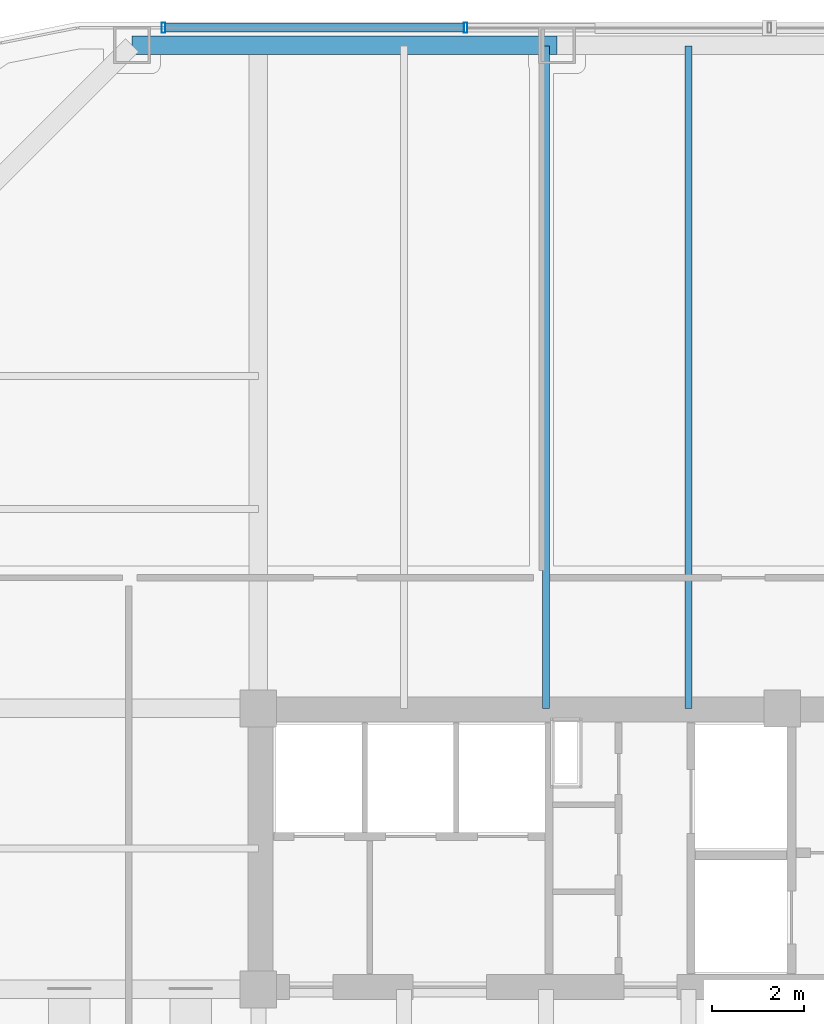
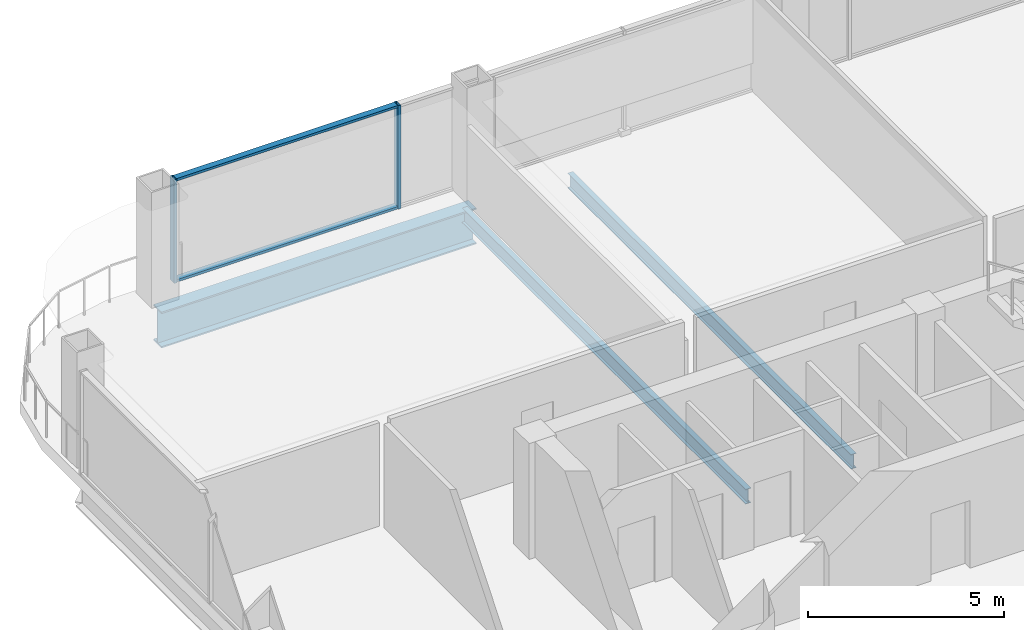
# One storey, part 11 of 20: 4 members, 3 beams, 1 element without a shape of its own.
"""IFC4 building model written with IfcOpenShell, lengths in metres."""

from ifc_helpers import new_model, si_unit, direction, frame, origin, origin_2d, place, context, subcontext, project, spatial, hollow_rectangle, i_section, extrude, material, layer, layer_set, material_profile, profile_set, type_object, element, aggregate, save


model = new_model("IFC4")

# Units and contexts
model_context = context("Model", 3, precision=1e-05, world=origin(), true_north=direction((0.0, 1.0)))
body_context = subcontext(model_context, "Body", "Model", "MODEL_VIEW")
ifc_project = project(units=[si_unit("LENGTHUNIT", "METRE"), si_unit("AREAUNIT", "SQUARE_METRE"), si_unit("VOLUMEUNIT", "CUBIC_METRE"), si_unit("PLANEANGLEUNIT", "RADIAN"), si_unit("MASSUNIT", "GRAM", prefix="KILO")], contexts=[model_context])

# Site, building, storey
site_placement = place(None, origin())
site = spatial("IfcSite", under=ifc_project, at=site_placement, CompositionType="ELEMENT")
building_placement = place(site_placement, origin())
building = spatial("IfcBuilding", under=site, at=building_placement, Name="Qhalaya Broadcast Tower", CompositionType="ELEMENT")
storey_placement = place(building_placement, frame((0.0, 0.0, 104.85009765625)))
storey = spatial("IfcBuildingStorey", under=building, at=storey_placement, Name="L30", CompositionType="ELEMENT", Elevation=104.85009765625)

# Beams
ifc_material_1 = material(Name="Structural Steel ASTM A992 Grade 50", Category="steel")
ifc_material_profile_1 = material_profile(ifc_material_1, i_section(OverallWidth=0.154052734375, OverallDepth=0.458984375, WebThickness=0.009033203125, FlangeThickness=0.015380859375, at=origin_2d()), Name="W18X46")
ifc_profile_set_1 = profile_set([ifc_material_profile_1], Name="Structural Steel ASTM A992 Grade 50")
beam_type_1 = type_object("IfcBeamType", Name="Composite Floor Joist J04", PredefinedType="JOIST", material=ifc_profile_set_1)
for number, where, z_axis, x_axis, name in (
    (1, (-3.10009765625, 9.949951171875, -0.609619140625), (0.0, 1.0, 0.0), (-1.0, 0.0, 0.0), "L30 J04 L30-JNN2-1"),
    (2, (0.0, 9.949951171875, -0.609619140625), (0.0, 1.0, 0.0), (-1.0, 0.0, 0.0), "L30 J04 L30-JNN3-1"),
):
    element("IfcBeam", number, at=place(storey_placement, frame(where, z_axis=z_axis, x_axis=x_axis)), inside=storey, type_object=beam_type_1, Name=name, PredefinedType="JOIST", context=body_context, shape_type="SweptSolid", body=[
        extrude(i_section(OverallWidth=0.154052734375, OverallDepth=0.458984375, WebThickness=0.009033203125, FlangeThickness=0.015380859375, at=origin_2d()), origin(), (0.0, 0.0, 1.0), 14.43994140625),
    ])
ifc_material_profile_2 = material_profile(ifc_material_1, i_section(OverallWidth=0.404052734375, OverallDepth=1.117919921875, WebThickness=0.026123046875, FlangeThickness=0.044921875, at=origin_2d()), Name="W44X335")
ifc_profile_set_2 = profile_set([ifc_material_profile_2], Name="Structural Steel ASTM A992 Grade 50")
beam_type_2 = type_object("IfcBeamType", Name="Podium Long-Span Primary Girder PG1", PredefinedType="USERDEFINED", material=ifc_profile_set_2)
beam_placement = place(storey_placement, frame((-2.86328125, 24.409912109375, -0.939208984375), z_axis=(-1.0, 0.0, 0.0), x_axis=(0.0, -1.0, 0.0)))
element("IfcBeam", 3, at=beam_placement, inside=storey, type_object=beam_type_2, Name="L30 PG1 L30-SPR-11", ObjectType="GIRDER", PredefinedType="USERDEFINED", context=body_context, shape_type="SweptSolid", body=[
    extrude(i_section(OverallWidth=0.404052734375, OverallDepth=1.117919921875, WebThickness=0.026123046875, FlangeThickness=0.044921875, at=origin_2d()), origin(), (0.0, 0.0, 1.0), 9.2666015625),
])

# Curtain wall, members
ifc_material_2 = material(Name="Solar-Control Low-E Triple Glazing", Category="glass")
ifc_layer = layer(ifc_material_2, 0.219970703125, Name="Solar-Control Low-E Triple Glazing")
ifc_layer_set = layer_set([ifc_layer], Name="Solar-Control Low-E Triple Glazing")
curtain_wall_type = type_object("IfcCurtainWallType", Name="Recessed Sky-Garden Neck Ribbon Curtain Wall CW-05", PredefinedType="NOTDEFINED", material=ifc_layer_set)
curtain_wall_placement = place(storey_placement, origin())
curtain_wall = element("IfcCurtainWall", 4, at=curtain_wall_placement, inside=storey, type_object=curtain_wall_type, Name="L30 Unitised Curtain Wall L30-CW-N", PredefinedType="NOTDEFINED")
ifc_material_3 = material(Name="Anodised Aluminium 6063-T6", Category="aluminium")
ifc_material_profile_3 = material_profile(ifc_material_3, hollow_rectangle(XDim=0.074951171875, YDim=0.219970703125, WallThickness=0.00390625, at=origin_2d()), Name="ALU-MUL 75x220x4")
ifc_profile_set_3 = profile_set([ifc_material_profile_3], Name="Anodised Aluminium 6063-T6")
member_type_1 = type_object("IfcMemberType", Name="Unitised Curtain-Wall Mullion M01", PredefinedType="MULLION", material=ifc_profile_set_3)
member_1_placement = place(storey_placement, frame((-4.85498046875, 24.7900390625, 0.0), z_axis=(0.0, 0.0, 1.0), x_axis=(-1.0, 0.0, 0.0)))
member_1 = element("IfcMember", 5, at=member_1_placement, type_object=member_type_1, Name="CW-05 mullion 4", PredefinedType="MULLION", context=body_context, shape_type="SweptSolid", body=[
    extrude(hollow_rectangle(XDim=0.074951171875, YDim=0.219970703125, WallThickness=0.00390625, at=origin_2d()), origin(), (0.0, 0.0, 1.0), 3.219970703125),
])
member_2_placement = place(storey_placement, frame((-11.4423828125, 24.7900390625, 0.0), z_axis=(0.0, 0.0, 1.0), x_axis=(-1.0, 0.0, 0.0)))
member_2 = element("IfcMember", 6, at=member_2_placement, type_object=member_type_1, Name="CW-05 mullion 5", PredefinedType="MULLION", context=body_context, shape_type="SweptSolid", body=[
    extrude(hollow_rectangle(XDim=0.074951171875, YDim=0.219970703125, WallThickness=0.00390625, at=origin_2d()), origin(), (0.0, 0.0, 1.0), 3.219970703125),
])
ifc_material_profile_4 = material_profile(ifc_material_3, hollow_rectangle(XDim=0.074951171875, YDim=0.179931640625, WallThickness=0.00390625, at=origin_2d()), Name="ALU-TRN 75x180x4")
ifc_profile_set_4 = profile_set([ifc_material_profile_4], Name="Anodised Aluminium 6063-T6")
member_type_2 = type_object("IfcMemberType", Name="Unitised Curtain-Wall Transom T01", PredefinedType="USERDEFINED", material=ifc_profile_set_4)
member_3_placement = place(storey_placement, frame((-4.892578125, 24.7900390625, 0.037353515625), z_axis=(-1.0, 0.0, 0.0), x_axis=(0.0, 0.0, 1.0)))
member_3 = element("IfcMember", 7, at=member_3_placement, type_object=member_type_2, Name="CW-05 transom 4.1", ObjectType="TRANSOM", PredefinedType="USERDEFINED", context=body_context, shape_type="SweptSolid", body=[
    extrude(hollow_rectangle(XDim=0.074951171875, YDim=0.179931640625, WallThickness=0.00390625, at=origin_2d()), origin(), (0.0, 0.0, 1.0), 6.512451171875),
])
member_4_placement = place(storey_placement, frame((-4.892578125, 24.7900390625, 3.182373046875), z_axis=(-1.0, 0.0, 0.0), x_axis=(0.0, 0.0, 1.0)))
member_4 = element("IfcMember", 8, at=member_4_placement, type_object=member_type_2, Name="CW-05 transom 4.2", ObjectType="TRANSOM", PredefinedType="USERDEFINED", context=body_context, shape_type="SweptSolid", body=[
    extrude(hollow_rectangle(XDim=0.074951171875, YDim=0.179931640625, WallThickness=0.00390625, at=origin_2d()), origin(), (0.0, 0.0, 1.0), 6.512451171875),
])
aggregate(curtain_wall, [member_1, member_2, member_3, member_4])

save(model, "model.ifc")
